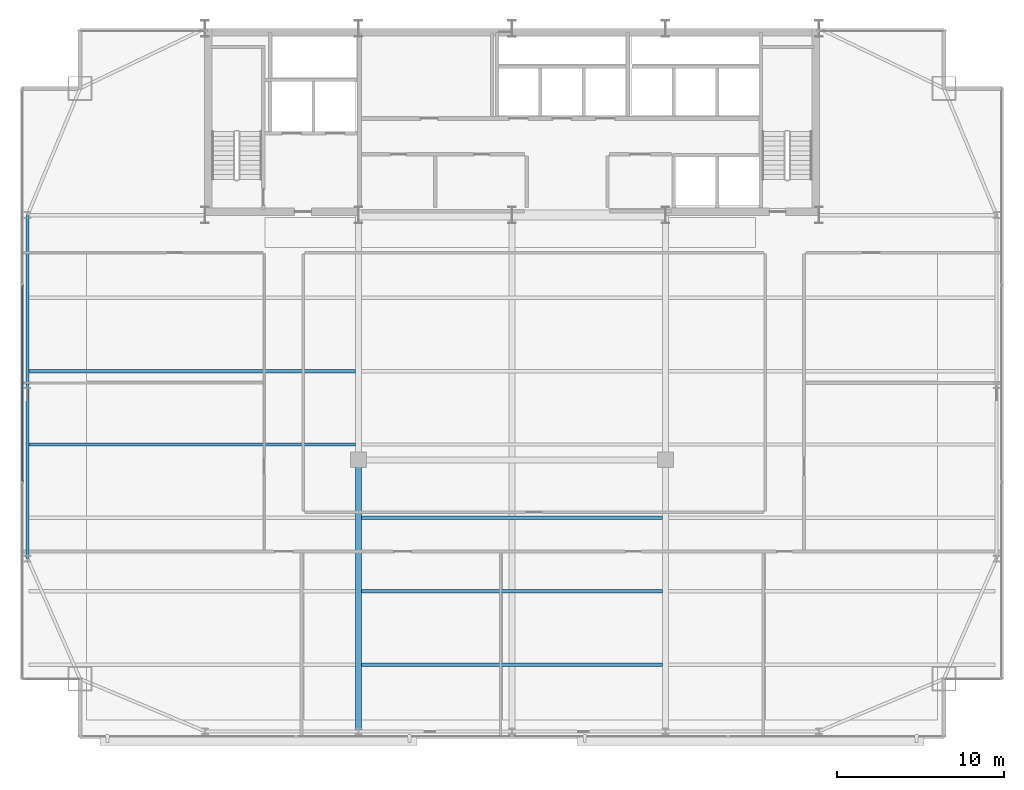
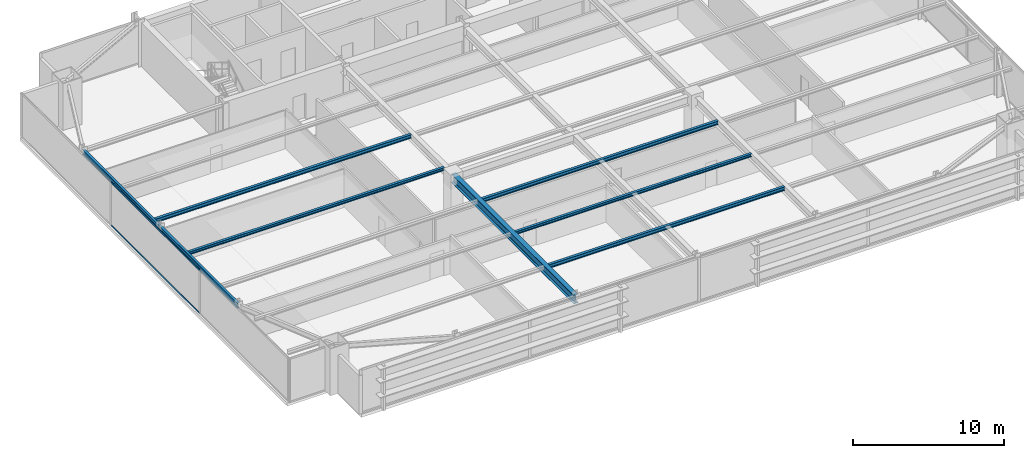
# One storey, part 9 of 33: 8 beams, 2 members, 1 element without a shape of its own.
"""IFC4 building model written with IfcOpenShell, lengths in metres."""

from ifc_helpers import new_model, si_unit, direction, frame, origin, origin_2d, place, context, subcontext, project, spatial, hollow_rectangle, i_section, extrude, source, transform, mapped, material, layer, layer_set, material_profile, profile_set, type_object, type_shapes, element, aggregate, save


model = new_model("IFC4")

# Units and contexts
model_context = context("Model", 3, precision=1e-05, world=origin(), true_north=direction((0.0, 1.0)))
body_context = subcontext(model_context, "Body", "Model", "MODEL_VIEW")
ifc_project = project(units=[si_unit("LENGTHUNIT", "METRE"), si_unit("AREAUNIT", "SQUARE_METRE"), si_unit("VOLUMEUNIT", "CUBIC_METRE"), si_unit("PLANEANGLEUNIT", "RADIAN"), si_unit("MASSUNIT", "GRAM", prefix="KILO")], contexts=[model_context])

# Site, building, storey
site_placement = place(None, origin())
site = spatial("IfcSite", under=ifc_project, at=site_placement, CompositionType="ELEMENT")
building_placement = place(site_placement, origin())
building = spatial("IfcBuilding", under=site, at=building_placement, Name="Varnel Quay Broadcast Tower", CompositionType="ELEMENT")
storey_placement = place(building_placement, frame((0.0, 0.0, 129.60009765625)))
storey = spatial("IfcBuildingStorey", under=building, at=storey_placement, Name="L31", CompositionType="ELEMENT", Elevation=129.60009765625)

# Beams
ifc_material_1 = material(Name="Structural Steel CSA G40.21 350W", Category="steel")
ifc_material_profile_1 = material_profile(ifc_material_1, i_section(OverallWidth=0.180908203125, OverallDepth=0.4169921875, WebThickness=0.010986328125, FlangeThickness=0.018310546875, FilletRadius=0.011962890625, at=origin_2d()), Name="W410X85")
ifc_profile_set_1 = profile_set([ifc_material_profile_1], Name="Structural Steel CSA G40.21 350W")
beam_type_1 = type_object("IfcBeamType", Name="Beam_W410X85", PredefinedType="SPANDREL", material=ifc_profile_set_1)
shared_shape_1 = source(origin(), body_context, "Body", "SweptSolid", [
    extrude(i_section(OverallWidth=0.180908203125, OverallDepth=0.4169921875, WebThickness=0.010986328125, FlangeThickness=0.018310546875, FilletRadius=0.011962890625, at=origin_2d()), origin(), (0.0, 0.0, 1.0), 10.35986328125),
])
beam_1_placement = place(storey_placement, frame((4.949951171875, 15.02001953125, 3.34130859375), z_axis=(0.0, 1.0, 0.0), x_axis=(-1.0, 0.0, 0.0)))
element("IfcBeam", 1, at=beam_1_placement, inside=storey, type_object=beam_type_1, Name="L31 West Spandrel TC-W1-TC-W2", PredefinedType="SPANDREL", context=body_context, shape_type="MappedRepresentation", body=[
    mapped(shared_shape_1, transform((0.0, 0.0, 0.0), x_axis=(1.0, 0.0, 0.0), y_axis=(0.0, 1.0, 0.0), z_axis=(0.0, 0.0, 1.0), scale=1.0)),
])
shared_shape_2 = source(origin(), body_context, "Body", "SweptSolid", [
    extrude(i_section(OverallWidth=0.180908203125, OverallDepth=0.4169921875, WebThickness=0.010986328125, FlangeThickness=0.018310546875, FilletRadius=0.011962890625, at=origin_2d()), origin(), (0.0, 0.0, 1.0), 10.16015625),
])
type_shapes(beam_type_1, [shared_shape_1, shared_shape_2])
beam_2_placement = place(storey_placement, frame((4.949951171875, 25.419921875, 3.34130859375), z_axis=(0.0, 1.0, 0.0), x_axis=(-1.0, 0.0, 0.0)))
element("IfcBeam", 2, at=beam_2_placement, inside=storey, type_object=beam_type_1, Name="L31 West Spandrel TC-W2-TC-W3", PredefinedType="SPANDREL", context=body_context, shape_type="MappedRepresentation", body=[
    mapped(shared_shape_2, transform((0.0, 0.0, 0.0), x_axis=(1.0, 0.0, 0.0), y_axis=(0.0, 1.0, 0.0), z_axis=(0.0, 0.0, 1.0), scale=1.0)),
])
ifc_material_profile_2 = material_profile(ifc_material_1, i_section(OverallWidth=0.35498046875, OverallDepth=0.695068359375, WebThickness=0.015380859375, FlangeThickness=0.02490234375, FilletRadius=0.01806640625, at=origin_2d()), Name="W690X217")
ifc_profile_set_2 = profile_set([ifc_material_profile_2], Name="Structural Steel CSA G40.21 350W")
beam_type_2 = type_object("IfcBeamType", Name="Girder_W690X217", PredefinedType="BEAM", material=ifc_profile_set_2)
shared_shape_3 = source(origin(), body_context, "Body", "SweptSolid", [
    extrude(i_section(OverallWidth=0.35498046875, OverallDepth=0.695068359375, WebThickness=0.015380859375, FlangeThickness=0.02490234375, FilletRadius=0.01806640625, at=origin_2d()), origin(), (0.0, 0.0, 1.0), 16.239990234375),
])
type_shapes(beam_type_2, [shared_shape_3])
beam_3_placement = place(storey_placement, frame((24.800048828125, 4.669921875, 3.202392578125), z_axis=(0.0, 1.0, 0.0), x_axis=(-1.0, 0.0, 0.0)))
element("IfcBeam", 3, at=beam_3_placement, inside=storey, type_object=beam_type_2, Name="L31 Primary Girder TC-S2-IC-01", PredefinedType="BEAM", context=body_context, shape_type="MappedRepresentation", body=[
    mapped(shared_shape_3, transform((0.0, 0.0, 0.0), x_axis=(1.0, 0.0, 0.0), y_axis=(0.0, 1.0, 0.0), z_axis=(0.0, 0.0, 1.0), scale=1.0)),
])
ifc_material_profile_3 = material_profile(ifc_material_1, i_section(OverallWidth=0.202880859375, OverallDepth=0.302978515625, WebThickness=0.007568359375, FlangeThickness=0.01318359375, FilletRadius=0.011962890625, at=origin_2d()), Name="W310X60")
ifc_profile_set_3 = profile_set([ifc_material_profile_3], Name="Structural Steel CSA G40.21 350W")
beam_type_3 = type_object("IfcBeamType", Name="Beam_W310X60", PredefinedType="JOIST", material=ifc_profile_set_3)
shared_shape_4 = source(origin(), body_context, "Body", "SweptSolid", [
    extrude(i_section(OverallWidth=0.202880859375, OverallDepth=0.302978515625, WebThickness=0.007568359375, FlangeThickness=0.01318359375, FilletRadius=0.011962890625, at=origin_2d()), origin(), (0.0, 0.0, 1.0), 19.592041015625),
])
beam_4_placement = place(storey_placement, frame((5.035400390625, 26.25, 3.3984375), z_axis=(1.0, 0.0, 0.0), x_axis=(0.0, 1.0, 0.0)))
element("IfcBeam", 4, at=beam_4_placement, inside=storey, type_object=beam_type_3, Name="L31 West Floor Joist 5", PredefinedType="JOIST", context=body_context, shape_type="MappedRepresentation", body=[
    mapped(shared_shape_4, transform((0.0, 0.0, 0.0), x_axis=(1.0, 0.0, 0.0), y_axis=(0.0, 1.0, 0.0), z_axis=(0.0, 0.0, 1.0), scale=1.0)),
])
shared_shape_5 = source(origin(), body_context, "Body", "SweptSolid", [
    extrude(i_section(OverallWidth=0.202880859375, OverallDepth=0.302978515625, WebThickness=0.007568359375, FlangeThickness=0.01318359375, FilletRadius=0.011962890625, at=origin_2d()), origin(), (0.0, 0.0, 1.0), 18.05517578125),
])
type_shapes(beam_type_3, [shared_shape_4, shared_shape_5])
for number, where, z_axis, x_axis, name in (
    (5, (24.972412109375, 8.64990234375, 3.3984375), (1.0, 0.0, 0.0), (0.0, 1.0, 0.0), "L31 Central Floor Joist 1"),
    (6, (24.972412109375, 17.449951171875, 3.3984375), (1.0, 0.0, 0.0), (0.0, 1.0, 0.0), "L31 Central Floor Joist 3"),
):
    element("IfcBeam", number, at=place(storey_placement, frame(where, z_axis=z_axis, x_axis=x_axis)), inside=storey, type_object=beam_type_3, Name=name, PredefinedType="JOIST", context=body_context, shape_type="MappedRepresentation", body=[
        mapped(shared_shape_5, transform((0.0, 0.0, 0.0), x_axis=(1.0, 0.0, 0.0), y_axis=(0.0, 1.0, 0.0), z_axis=(0.0, 0.0, 1.0), scale=1.0)),
    ])
ifc_material_profile_4 = material_profile(ifc_material_1, i_section(OverallWidth=0.201904296875, OverallDepth=0.2470703125, WebThickness=0.00732421875, FlangeThickness=0.010986328125, FilletRadius=0.010986328125, at=origin_2d()), Name="W250X49")
ifc_profile_set_4 = profile_set([ifc_material_profile_4], Name="Structural Steel CSA G40.21 350W")
beam_type_4 = type_object("IfcBeamType", Name="Beam_W250X49", PredefinedType="JOIST", material=ifc_profile_set_4)
shared_shape_6 = source(origin(), body_context, "Body", "SweptSolid", [
    extrude(i_section(OverallWidth=0.201904296875, OverallDepth=0.2470703125, WebThickness=0.00732421875, FlangeThickness=0.010986328125, FilletRadius=0.010986328125, at=origin_2d()), origin(), (0.0, 0.0, 1.0), 19.592041015625),
])
beam_5_placement = place(storey_placement, frame((5.035400390625, 21.85009765625, 3.426513671875), z_axis=(1.0, 0.0, 0.0), x_axis=(0.0, 1.0, 0.0)))
element("IfcBeam", 7, at=beam_5_placement, inside=storey, type_object=beam_type_4, Name="L31 West Floor Joist 4", PredefinedType="JOIST", context=body_context, shape_type="MappedRepresentation", body=[
    mapped(shared_shape_6, transform((0.0, 0.0, 0.0), x_axis=(1.0, 0.0, 0.0), y_axis=(0.0, 1.0, 0.0), z_axis=(0.0, 0.0, 1.0), scale=1.0)),
])
shared_shape_7 = source(origin(), body_context, "Body", "SweptSolid", [
    extrude(i_section(OverallWidth=0.201904296875, OverallDepth=0.2470703125, WebThickness=0.00732421875, FlangeThickness=0.010986328125, FilletRadius=0.010986328125, at=origin_2d()), origin(), (0.0, 0.0, 1.0), 18.05517578125),
])
type_shapes(beam_type_4, [shared_shape_6, shared_shape_7])
beam_6_placement = place(storey_placement, frame((24.972412109375, 13.050048828125, 3.426513671875), z_axis=(1.0, 0.0, 0.0), x_axis=(0.0, 1.0, 0.0)))
element("IfcBeam", 8, at=beam_6_placement, inside=storey, type_object=beam_type_4, Name="L31 Central Floor Joist 2", PredefinedType="JOIST", context=body_context, shape_type="MappedRepresentation", body=[
    mapped(shared_shape_7, transform((0.0, 0.0, 0.0), x_axis=(1.0, 0.0, 0.0), y_axis=(0.0, 1.0, 0.0), z_axis=(0.0, 0.0, 1.0), scale=1.0)),
])

# Curtain wall, members
ifc_material_2 = material(Name="Anodised Bronze Aluminium 6063-T6", Category="aluminium")
ifc_layer = layer(ifc_material_2, 0.18994140625, Name="Anodised Bronze Aluminium 6063-T6")
ifc_layer_set = layer_set([ifc_layer], Name="Anodised Bronze Aluminium 6063-T6")
curtain_wall_type = type_object("IfcCurtainWallType", Name="CW_LowerTower", PredefinedType="NOTDEFINED", material=ifc_layer_set)
curtain_wall_placement = place(storey_placement, origin())
curtain_wall = element("IfcCurtainWall", 9, at=curtain_wall_placement, inside=storey, type_object=curtain_wall_type, Name="L31 West Unitised Curtain Wall", PredefinedType="NOTDEFINED")
ifc_material_profile_5 = material_profile(ifc_material_2, hollow_rectangle(XDim=0.06005859375, YDim=0.14501953125, WallThickness=0.00341796875, at=origin_2d()), Name="ALU60X145X3.5")
ifc_profile_set_5 = profile_set([ifc_material_profile_5], Name="Anodised Bronze Aluminium 6063-T6")
member_type = type_object("IfcMemberType", Name="Tran_CWS-02", PredefinedType="USERDEFINED", material=ifc_profile_set_5)
shared_shape_8 = source(origin(), body_context, "Body", "SweptSolid", [
    extrude(hollow_rectangle(XDim=0.06005859375, YDim=0.14501953125, WallThickness=0.00341796875, at=origin_2d()), origin(), (0.0, 0.0, 1.0), 11.72998046875),
])
type_shapes(member_type, [shared_shape_8])
member_1_placement = place(storey_placement, frame((4.64990234375, 19.635009765625, 0.02978515625), z_axis=(0.0, 1.0, 0.0), x_axis=(-1.0, 0.0, 0.0)))
member_1 = element("IfcMember", 10, at=member_1_placement, type_object=member_type, Name="CWS-02 transom 2.1", ObjectType="TRANSOM", PredefinedType="USERDEFINED", context=body_context, shape_type="MappedRepresentation", body=[
    mapped(shared_shape_8, transform((0.0, 0.0, 0.0), x_axis=(1.0, 0.0, 0.0), y_axis=(0.0, 1.0, 0.0), z_axis=(0.0, 0.0, 1.0), scale=1.0)),
])
member_2_placement = place(storey_placement, frame((4.64990234375, 19.635009765625, 3.52001953125), z_axis=(0.0, 1.0, 0.0), x_axis=(-1.0, 0.0, 0.0)))
member_2 = element("IfcMember", 11, at=member_2_placement, type_object=member_type, Name="CWS-02 transom 2.2", ObjectType="TRANSOM", PredefinedType="USERDEFINED", context=body_context, shape_type="MappedRepresentation", body=[
    mapped(shared_shape_8, transform((0.0, 0.0, 0.0), x_axis=(1.0, 0.0, 0.0), y_axis=(0.0, 1.0, 0.0), z_axis=(0.0, 0.0, 1.0), scale=1.0)),
])
aggregate(curtain_wall, [member_1, member_2])

save(model, "model.ifc")
